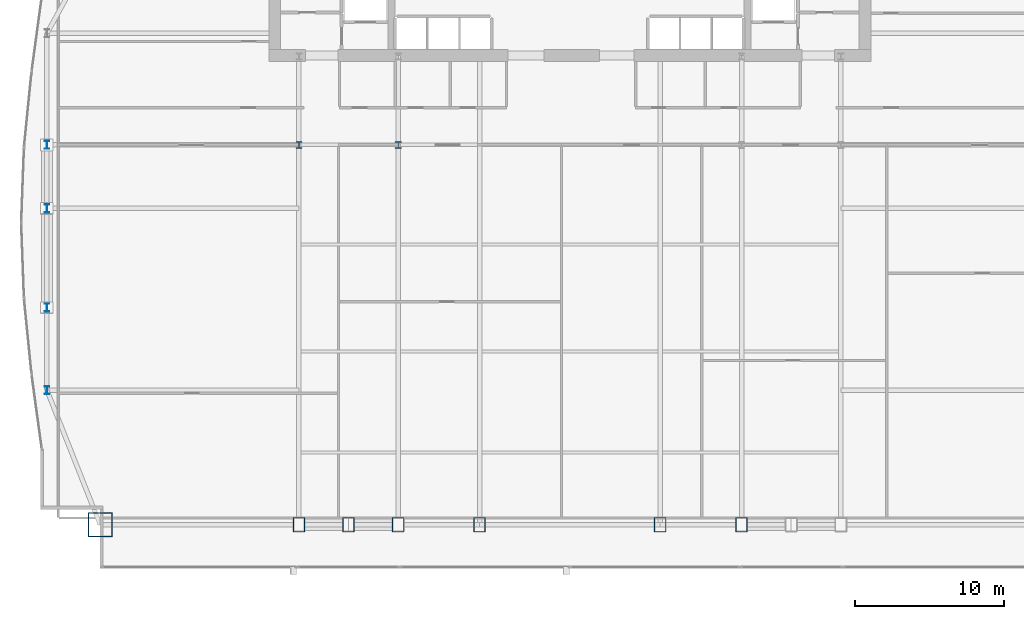
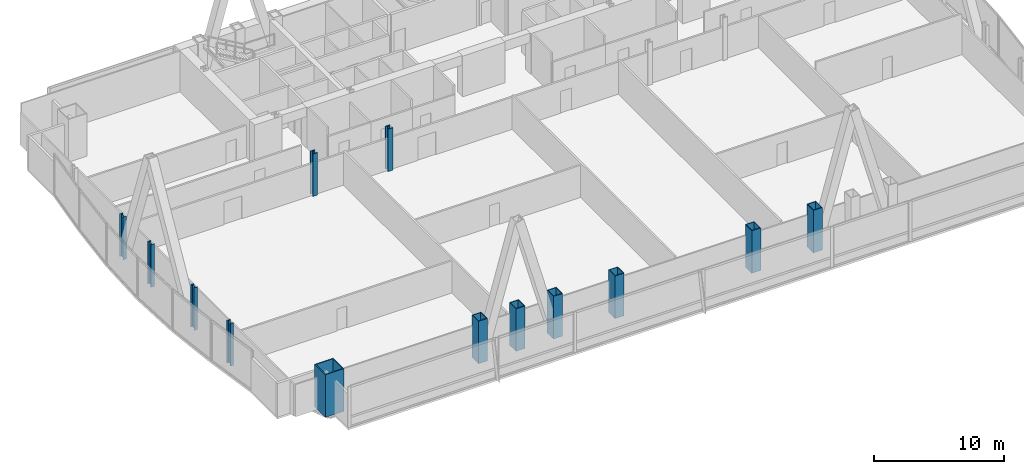
# One storey, part 1 of 35: 13 columns.
"""IFC4 building model written with IfcOpenShell, lengths in metres."""

import ifcopenshell
import ifcopenshell.guid

model = None  # the IFC model being written
_history = None  # IfcOwnerHistory: only IFC2X3 demands one
_inside = {}  # id of a spatial element -> (the spatial element, [elements in it])
_under = {}  # id of a project, library or spatial element -> (it, [spatial elements below it])
_declared = {}  # id of a project -> (the project, [libraries it declares])
_typed = {}  # id of a type object -> (the type object, [elements of that type])
_made_of = {}  # id of a material, layer set ... -> (it, [elements and type objects made of it])


def new_model(schema):
    """Start an empty IFC model of exactly this schema.

    Asked for "IFC4X3", IfcOpenShell would pick the latest addendum, in which some entities
    have other attributes; the version numbers below select the first issue.
    IFC2X3 requires an IfcOwnerHistory on every rooted entity: one is made here for all.
    """
    global model, _history
    if schema == "IFC4X3":
        model = ifcopenshell.file(schema_version=(4, 3, 0, 0))
    else:
        model = ifcopenshell.file(schema=schema)
    _inside.clear()
    _under.clear()
    _declared.clear()
    _typed.clear()
    _made_of.clear()
    _history = None
    if model.schema == "IFC2X3":
        org = make("IfcOrganization", Name="unknown")
        user = make(
            "IfcPersonAndOrganization",
            ThePerson=make("IfcPerson", FamilyName="unknown"),
            TheOrganization=org,
        )
        app = make(
            "IfcApplication",
            ApplicationDeveloper=org,
            Version="unknown",
            ApplicationFullName="unknown",
            ApplicationIdentifier="unknown",
        )
        _history = make(
            "IfcOwnerHistory",
            OwningUser=user,
            OwningApplication=app,
            ChangeAction="ADDED",
            CreationDate=0,
        )
    return model


def make(cls, **values):
    """One entity of the class cls with the attributes given. An attribute that is None is left unset."""
    return model.create_entity(
        cls, **{name: value for name, value in values.items() if value is not None}
    )


def rooted(cls, **values):
    """An entity with a GlobalId (a new one), such as an element, a storey or a relation."""
    return make(cls, GlobalId=ifcopenshell.guid.new(), OwnerHistory=_history, **values)


def si_unit(unit_type, name, prefix=None):
    """IfcSIUnit, for example si_unit("LENGTHUNIT", "METRE", prefix="MILLI")."""
    return make("IfcSIUnit", UnitType=unit_type, Prefix=prefix, Name=name)


def assignment(units):
    """IfcUnitAssignment: the units of a project."""
    return None if units is None else make("IfcUnitAssignment", Units=units)


def point(xyz):
    """IfcCartesianPoint."""
    return None if xyz is None else make("IfcCartesianPoint", Coordinates=xyz)


def direction(xyz):
    """IfcDirection."""
    return None if xyz is None else make("IfcDirection", DirectionRatios=xyz)


def frame(location, z_axis=None, x_axis=None):
    """IfcAxis2Placement3D, a coordinate frame: its origin and axes. An axis left out is left unset."""
    return make(
        "IfcAxis2Placement3D",
        Location=point(location),
        Axis=direction(z_axis),
        RefDirection=direction(x_axis),
    )


def frame_2d(location, x_axis=None):
    """IfcAxis2Placement2D, a coordinate frame in the plane: its origin and x axis."""
    return make(
        "IfcAxis2Placement2D", Location=point(location), RefDirection=direction(x_axis)
    )


def origin():
    """The frame at (0, 0, 0) with its axes left unset."""
    return frame((0.0, 0.0, 0.0))


def origin_2d():
    """The frame at (0, 0) in the plane with its x axis left unset."""
    return frame_2d((0.0, 0.0))


def place(relative_to, where):
    """IfcLocalPlacement: puts the frame where relative to a parent placement (None: the world)."""
    return make(
        "IfcLocalPlacement", PlacementRelTo=relative_to, RelativePlacement=where
    )


def context(
    kind, dimensions, precision=None, world=None, true_north=None, identifier=None
):
    """IfcGeometricRepresentationContext, for example the 3D "Model" context."""
    return make(
        "IfcGeometricRepresentationContext",
        ContextIdentifier=identifier,
        ContextType=kind,
        CoordinateSpaceDimension=dimensions,
        Precision=precision,
        WorldCoordinateSystem=world,
        TrueNorth=true_north,
    )


def subcontext(parent, identifier, kind, view, scale=None):
    """IfcGeometricRepresentationSubContext, for example "Body" below "Model"."""
    return make(
        "IfcGeometricRepresentationSubContext",
        ContextIdentifier=identifier,
        ContextType=kind,
        ParentContext=parent,
        TargetScale=scale,
        TargetView=view,
    )


def project(units=None, contexts=None):
    """IfcProject with its units and contexts."""
    return rooted(
        "IfcProject",
        Name="project",
        RepresentationContexts=contexts,
        UnitsInContext=assignment(units),
    )


def spatial(cls, under=None, at=None, **own):
    """A site, building, storey or space (cls), placed at a placement, below another one or the project."""
    s = rooted(cls, ObjectPlacement=at, **own)
    if under is not None:
        _under.setdefault(under.id(), (under, []))[1].append(s)
    return s


def profile(cls, at=None, kind="AREA", **sizes):
    """A parametric profile (cls). Its sizes go by their IFC names, for example OverallWidth=200.0."""
    return make(cls, ProfileType=kind, Position=at, **sizes)


def hollow_rectangle(**sizes):
    """IfcRectangleHollowProfileDef."""
    return profile("IfcRectangleHollowProfileDef", **sizes)


def i_section(**sizes):
    """IfcIShapeProfileDef."""
    return profile("IfcIShapeProfileDef", **sizes)


def extrude(swept, where, along, depth):
    """IfcExtrudedAreaSolid: the profile swept, set in the frame where, extruded along a direction by depth."""
    return make(
        "IfcExtrudedAreaSolid",
        SweptArea=swept,
        Position=where,
        ExtrudedDirection=direction(along),
        Depth=depth,
    )


def shape(context_of_items, identifier, shape_type, items):
    """IfcShapeRepresentation: the items that make up one representation, for example the "Body"."""
    return make(
        "IfcShapeRepresentation",
        ContextOfItems=context_of_items,
        RepresentationIdentifier=identifier,
        RepresentationType=shape_type,
        Items=items,
    )


def material(Name=None, Category=None):
    """IfcMaterial."""
    return make("IfcMaterial", Name=Name, Category=Category)


def material_profile(
    of_material, cross_section, Name=None, Category=None, Priority=None
):
    """IfcMaterialProfile: a cross section and its material."""
    return make(
        "IfcMaterialProfile",
        Name=Name,
        Material=of_material,
        Profile=cross_section,
        Priority=Priority,
        Category=Category,
    )


def profile_set(profiles, Name=None, composite=None):
    """IfcMaterialProfileSet."""
    return make(
        "IfcMaterialProfileSet",
        Name=Name,
        MaterialProfiles=profiles,
        CompositeProfile=composite,
    )


def made_of(thing, what):
    """Note that an element or type object is made of a material, layer set ...; save() writes the relation."""
    if what is not None:
        _made_of.setdefault(what.id(), (what, []))[1].append(thing)
    return thing


def type_object(cls, material=None, **own):
    """A type object (cls), such as IfcWallType, which elements share."""
    return made_of(rooted(cls, **own), material)


def element(
    cls,
    number,
    at=None,
    inside=None,
    cuts=None,
    type_object=None,
    material=None,
    context=None,
    identifier="Body",
    shape_type=None,
    held_by="IfcProductDefinitionShape",
    body=None,
    shapes=None,
    **own,
):
    """One element of the class cls, such as IfcWall. Its Tag is "e" and its number.

    at: its placement. inside: the storey or other place that contains it. cuts: it is an
    opening in that element (IfcRelVoidsElement). A single representation is given by context,
    identifier, shape_type and body (its items); several are given by shapes. held_by: the class
    of the entity that holds the representations. save() writes the other relations.
    """
    e = rooted(cls, Tag="e%d" % number, ObjectPlacement=at, **own)
    if body is not None:
        shapes = [shape(context, identifier, shape_type, body)]
    if shapes is not None:
        e.Representation = make(held_by, Representations=shapes)
    if inside is not None:
        _inside.setdefault(inside.id(), (inside, []))[1].append(e)
    if cuts is not None:
        rooted(
            "IfcRelVoidsElement", RelatingBuildingElement=cuts, RelatedOpeningElement=e
        )
    if type_object is not None:
        _typed.setdefault(type_object.id(), (type_object, []))[1].append(e)
    return made_of(e, material)


def aggregate(whole, parts):
    """IfcRelAggregates: a whole, such as a stair, and the parts it consists of."""
    return rooted("IfcRelAggregates", RelatingObject=whole, RelatedObjects=parts)


def save(model, path):
    """Write the relations noted so far, then the file.

    IfcRelAggregates (storeys below a building ...), IfcRelContainedInSpatialStructure (elements
    in a storey), IfcRelDefinesByType, IfcRelAssociatesMaterial and IfcRelDeclares: one each for
    every whole, place, type object, material and project.
    """
    for whole, parts in _under.values():
        aggregate(whole, parts)
    for where, things in _inside.values():
        rooted(
            "IfcRelContainedInSpatialStructure",
            RelatedElements=things,
            RelatingStructure=where,
        )
    for kind, things in _typed.values():
        rooted("IfcRelDefinesByType", RelatedObjects=things, RelatingType=kind)
    for what, things in _made_of.values():
        rooted("IfcRelAssociatesMaterial", RelatedObjects=things, RelatingMaterial=what)
    for by, libraries in _declared.values():
        rooted("IfcRelDeclares", RelatingContext=by, RelatedDefinitions=libraries)
    model.write(path)


model = new_model("IFC4")

# Units and contexts
model_context = context("Model", 3, precision=1e-05, world=origin(), true_north=direction((0.0, 1.0)))
body_context = subcontext(model_context, "Body", "Model", "MODEL_VIEW")
ifc_project = project(units=[si_unit("LENGTHUNIT", "METRE"), si_unit("AREAUNIT", "SQUARE_METRE"), si_unit("VOLUMEUNIT", "CUBIC_METRE"), si_unit("PLANEANGLEUNIT", "RADIAN"), si_unit("MASSUNIT", "GRAM", prefix="KILO")], contexts=[model_context])

# Site, building, storey
site_placement = place(None, origin())
site = spatial("IfcSite", under=ifc_project, at=site_placement, CompositionType="ELEMENT")
building_placement = place(site_placement, origin())
building = spatial("IfcBuilding", under=site, at=building_placement, Name="Khoronbel Lancet Exchange", CompositionType="ELEMENT")
storey_placement = place(building_placement, frame((0.0, 0.0, 37.800048828125)))
storey = spatial("IfcBuildingStorey", under=building, at=storey_placement, Name="L08", CompositionType="ELEMENT", Elevation=37.800048828125)

# Columns
ifc_material_1 = material(Name="Steel S460", Category="steel")
ifc_material_profile_1 = material_profile(ifc_material_1, hollow_rectangle(XDim=0.800048828125, YDim=1.0, WallThickness=0.054931640625, at=origin_2d()), Name="BOX 1000x800x55")
ifc_profile_set_1 = profile_set([ifc_material_profile_1], Name="Steel S460")
column_type_1 = type_object("IfcColumnType", Name="COL-EC1", PredefinedType="COLUMN", material=ifc_profile_set_1)
for number, where, z_axis, x_axis, name in (
    (1, (18.22509765625, 10.14990234375, 0.0), (0.0, 0.0, 1.0), (1.0, 0.0, 0.0), "Structural column SC-W1 L08"),
    (2, (21.5625, 10.14990234375, 0.0), (0.0, 0.0, 1.0), (1.0, 0.0, 0.0), "Structural column SC-WM L08"),
    (3, (24.89990234375, 10.14990234375, 0.0), (0.0, 0.0, 1.0), (1.0, 0.0, 0.0), "Structural column SC-W2 L08"),
    (4, (30.375, 10.14990234375, 0.0), (0.0, 0.0, 1.0), (1.0, 0.0, 0.0), "Structural column SC-C1 L08"),
    (5, (42.52490234375, 10.14990234375, 0.0), (0.0, 0.0, 1.0), (1.0, 0.0, 0.0), "Structural column SC-C2 L08"),
    (6, (48.0, 10.14990234375, 0.0), (0.0, 0.0, 1.0), (1.0, 0.0, 0.0), "Structural column SC-E1 L08"),
):
    element("IfcColumn", number, at=place(storey_placement, frame(where, z_axis=z_axis, x_axis=x_axis)), inside=storey, type_object=column_type_1, Name=name, PredefinedType="COLUMN", context=body_context, shape_type="SweptSolid", body=[
        extrude(hollow_rectangle(XDim=0.800048828125, YDim=1.0, WallThickness=0.054931640625, at=origin_2d()), origin(), (0.0, 0.0, 1.0), 4.0),
    ])
ifc_material_profile_2 = material_profile(ifc_material_1, i_section(OverallWidth=0.424072265625, OverallDepth=0.47412109375, WebThickness=0.047607421875, FlangeThickness=0.076904296875, at=origin_2d()), Name="HD 400x634")
ifc_profile_set_2 = profile_set([ifc_material_profile_2], Name="Steel S460")
column_type_2 = type_object("IfcColumnType", Name="COL-IC1", PredefinedType="COLUMN", material=ifc_profile_set_2)
for number, where, z_axis, x_axis, name in (
    (7, (18.22509765625, 35.699951171875, 0.0), (0.0, 0.0, 1.0), (1.0, 0.0, 0.0), "Spine gravity column TC1 L08"),
    (8, (24.89990234375, 35.699951171875, 0.0), (0.0, 0.0, 1.0), (1.0, 0.0, 0.0), "Spine gravity column TC2 L08"),
):
    element("IfcColumn", number, at=place(storey_placement, frame(where, z_axis=z_axis, x_axis=x_axis)), inside=storey, type_object=column_type_2, Name=name, PredefinedType="COLUMN", context=body_context, shape_type="SweptSolid", body=[
        extrude(i_section(OverallWidth=0.424072265625, OverallDepth=0.47412109375, WebThickness=0.047607421875, FlangeThickness=0.076904296875, at=origin_2d()), origin(), (0.0, 0.0, 1.0), 4.0),
    ])
ifc_material_2 = material(Name="Steel S355", Category="steel")
ifc_material_profile_3 = material_profile(ifc_material_2, i_section(OverallWidth=0.300048828125, OverallDepth=0.550048828125, WebThickness=0.014892578125, FlangeThickness=0.029052734375, at=origin_2d()), Name="HEB 550")
ifc_profile_set_3 = profile_set([ifc_material_profile_3], Name="Steel S355")
column_type_3 = type_object("IfcColumnType", Name="COL-LC1", PredefinedType="COLUMN", material=ifc_profile_set_3)
for number, where, z_axis, x_axis, name in (
    (9, (1.27001953125, 19.199951171875, 0.0), (0.0, 0.0, 1.0), (1.0, 0.0, 0.0), "Structural column WC-1 L08"),
    (10, (1.27001953125, 24.75, 0.0), (0.0, 0.0, 1.0), (1.0, 0.0, 0.0), "Structural column WC-2 L08"),
    (11, (1.27001953125, 31.425048828125, 0.0), (0.0, 0.0, 1.0), (1.0, 0.0, 0.0), "Structural column WC-M L08"),
    (12, (1.27001953125, 35.699951171875, 0.0), (0.0, 0.0, 1.0), (1.0, 0.0, 0.0), "Structural column WC-3 L08"),
):
    element("IfcColumn", number, at=place(storey_placement, frame(where, z_axis=z_axis, x_axis=x_axis)), inside=storey, type_object=column_type_3, Name=name, PredefinedType="COLUMN", context=body_context, shape_type="SweptSolid", body=[
        extrude(i_section(OverallWidth=0.300048828125, OverallDepth=0.550048828125, WebThickness=0.014892578125, FlangeThickness=0.029052734375, at=origin_2d()), origin(), (0.0, 0.0, 1.0), 4.0),
    ])
ifc_material_profile_4 = material_profile(ifc_material_1, hollow_rectangle(XDim=1.64990234375, YDim=1.64990234375, WallThickness=0.074951171875, at=origin_2d()), Name="BOX 1650x1650x75")
ifc_profile_set_4 = profile_set([ifc_material_profile_4], Name="Steel S460")
column_type_4 = type_object("IfcColumnType", Name="COL-MC2", PredefinedType="COLUMN", material=ifc_profile_set_4)
column_placement = place(storey_placement, frame((4.85009765625, 10.14990234375, 0.0), z_axis=(0.0, 0.0, 1.0), x_axis=(1.0, 0.0, 0.0)))
element("IfcColumn", 13, at=column_placement, inside=storey, type_object=column_type_4, Name="Structural column MC-SW L08", PredefinedType="COLUMN", context=body_context, shape_type="SweptSolid", body=[
    extrude(hollow_rectangle(XDim=1.64990234375, YDim=1.64990234375, WallThickness=0.074951171875, at=origin_2d()), origin(), (0.0, 0.0, 1.0), 4.0),
])

save(model, "model.ifc")
